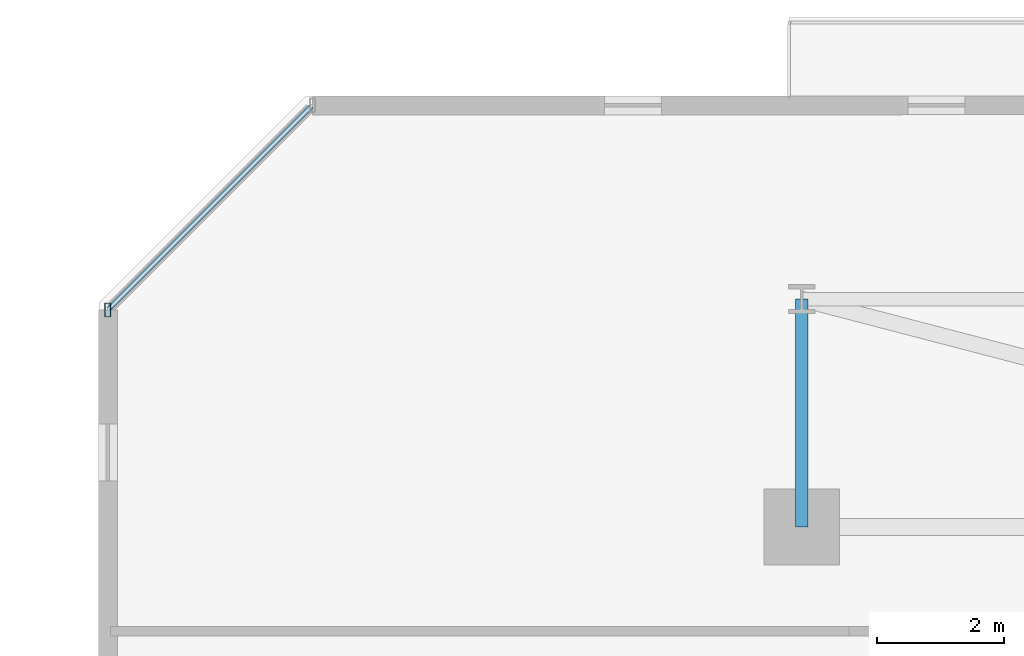
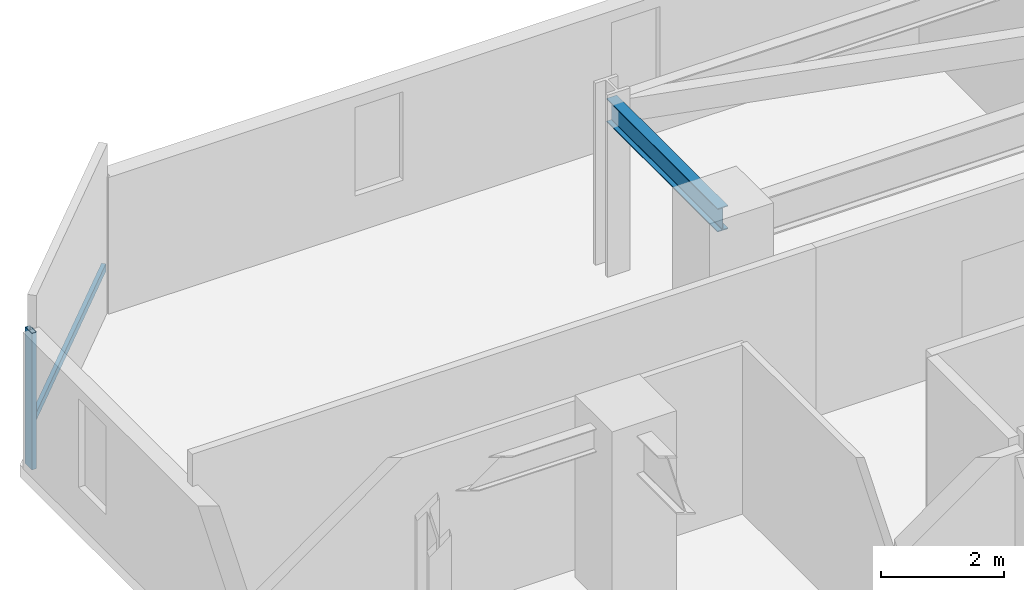
# One storey, part 7 of 33: 2 members, 1 beam, 1 element without a shape of its own.
"""IFC4 building model written with IfcOpenShell, lengths in metres."""

from ifc_helpers import new_model, si_unit, direction, frame, origin, origin_2d, place, context, subcontext, project, spatial, hollow_rectangle, i_section, extrude, material, material_profile, profile_set, type_object, element, aggregate, save


model = new_model("IFC4")

# Units and contexts
model_context = context("Model", 3, precision=1e-05, world=origin(), true_north=direction((0.0, 1.0)))
body_context = subcontext(model_context, "Body", "Model", "MODEL_VIEW")
ifc_project = project(units=[si_unit("LENGTHUNIT", "METRE"), si_unit("AREAUNIT", "SQUARE_METRE"), si_unit("VOLUMEUNIT", "CUBIC_METRE"), si_unit("PLANEANGLEUNIT", "RADIAN"), si_unit("MASSUNIT", "GRAM", prefix="KILO")], contexts=[model_context])

# Site, building, storey
site_placement = place(None, origin())
site = spatial("IfcSite", under=ifc_project, at=site_placement, CompositionType="ELEMENT")
building_placement = place(site_placement, origin())
building = spatial("IfcBuilding", under=site, at=building_placement, Name="Thornwick Lancets Civic Towers", CompositionType="ELEMENT")
storey_placement = place(building_placement, frame((0.0, 0.0, 108.89990234375)))
storey = spatial("IfcBuildingStorey", under=building, at=storey_placement, Name="L28", CompositionType="ELEMENT", Elevation=108.89990234375)

# Beam
ifc_material_1 = material(Name="Steel S355JR", Category="steel")
ifc_material_profile_1 = material_profile(ifc_material_1, i_section(OverallWidth=0.19189453125, OverallDepth=0.46337890625, WebThickness=0.010498046875, FlangeThickness=0.017578125, FilletRadius=0.01025390625, at=origin_2d()), Name="UKB 457x191x89")
ifc_profile_set_1 = profile_set([ifc_material_profile_1], Name="Steel S355JR")
beam_type = type_object("IfcBeamType", Name="BM_JOIST_457_89", PredefinedType="JOIST", material=ifc_profile_set_1)
beam_placement = place(storey_placement, frame((12.5, 44.300048828125, 3.12841796875), z_axis=(0.0, 1.0, 0.0), x_axis=(-1.0, 0.0, 0.0)))
element("IfcBeam", 1, at=beam_placement, inside=storey, type_object=beam_type, Name="BM-RAD-L28-A07", PredefinedType="JOIST", context=body_context, shape_type="SweptSolid", body=[
    extrude(i_section(OverallWidth=0.19189453125, OverallDepth=0.46337890625, WebThickness=0.010498046875, FlangeThickness=0.017578125, FilletRadius=0.01025390625, at=origin_2d()), origin(), (0.0, 0.0, 1.0), 3.599853515625),
])

# Curtain wall, members
ifc_material_2 = material(Name="Low-zone chamfered-corner unitised glass curtain wall", Category="glass")
curtain_wall_type = type_object("IfcCurtainWallType", Name="CW_SYS_03", PredefinedType="NOTDEFINED", material=ifc_material_2)
curtain_wall_placement = place(storey_placement, origin())
curtain_wall = element("IfcCurtainWall", 2, at=curtain_wall_placement, inside=storey, type_object=curtain_wall_type, Name="L28 Curtain Wall CW-L28-A-E5", PredefinedType="NOTDEFINED")
ifc_material_3 = material(Name="Thermally broken bronze aluminium S355", Category="steel")
ifc_material_profile_2 = material_profile(ifc_material_3, hollow_rectangle(XDim=0.090087890625, YDim=0.219970703125, WallThickness=0.00634765625, at=origin_2d()), Name="RHS 220x90x6.3")
ifc_profile_set_2 = profile_set([ifc_material_profile_2], Name="Thermally broken bronze aluminium S355")
member_type_1 = type_object("IfcMemberType", Name="CW_MUL_220", PredefinedType="MULLION", material=ifc_profile_set_2)
member_1_placement = place(storey_placement, frame((1.537353515625, 47.728759765625, 0.0), z_axis=(0.0, 0.0, 1.0), x_axis=(1.0, 0.0, 0.0)))
member_1 = element("IfcMember", 3, at=member_1_placement, type_object=member_type_1, Name="CW-L28-A-E5 Mullion 1", PredefinedType="MULLION", context=body_context, shape_type="SweptSolid", body=[
    extrude(hollow_rectangle(XDim=0.090087890625, YDim=0.219970703125, WallThickness=0.00634765625, at=origin_2d()), origin(), (0.0, 0.0, 1.0), 2.7001953125),
])
ifc_material_profile_3 = material_profile(ifc_material_3, hollow_rectangle(XDim=0.074951171875, YDim=0.14990234375, WallThickness=0.0048828125, at=origin_2d()), Name="RHS 150x75x5")
ifc_profile_set_3 = profile_set([ifc_material_profile_3], Name="Thermally broken bronze aluminium S355")
member_type_2 = type_object("IfcMemberType", Name="CW_TRN_150", PredefinedType="USERDEFINED", material=ifc_profile_set_3)
member_2_placement = place(storey_placement, frame((4.757080078125, 50.948486328125, 0.85009765625), z_axis=(-0.707106781187, -0.707106781187, 0.0), x_axis=(0.707106781187, -0.707106781187, 0.0)))
member_2 = element("IfcMember", 4, at=member_2_placement, type_object=member_type_2, Name="CW-L28-A-E5 Transom 0", ObjectType="TRANSOM", PredefinedType="USERDEFINED", context=body_context, shape_type="SweptSolid", body=[
    extrude(hollow_rectangle(XDim=0.074951171875, YDim=0.14990234375, WallThickness=0.0048828125, at=origin_2d()), origin(), (0.0, 0.0, 1.0), 4.533447265625),
])
aggregate(curtain_wall, [member_1, member_2])

save(model, "model.ifc")
